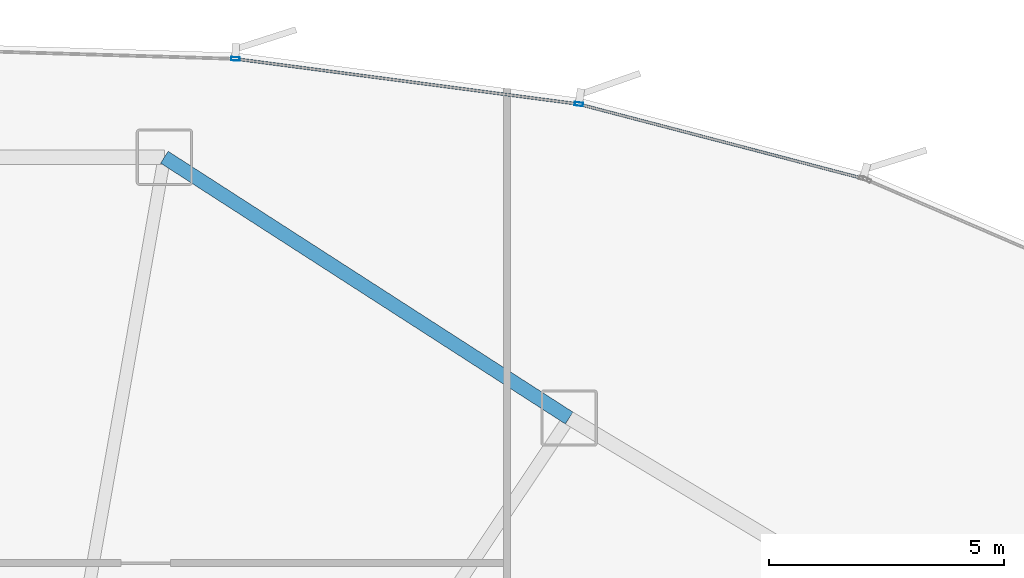
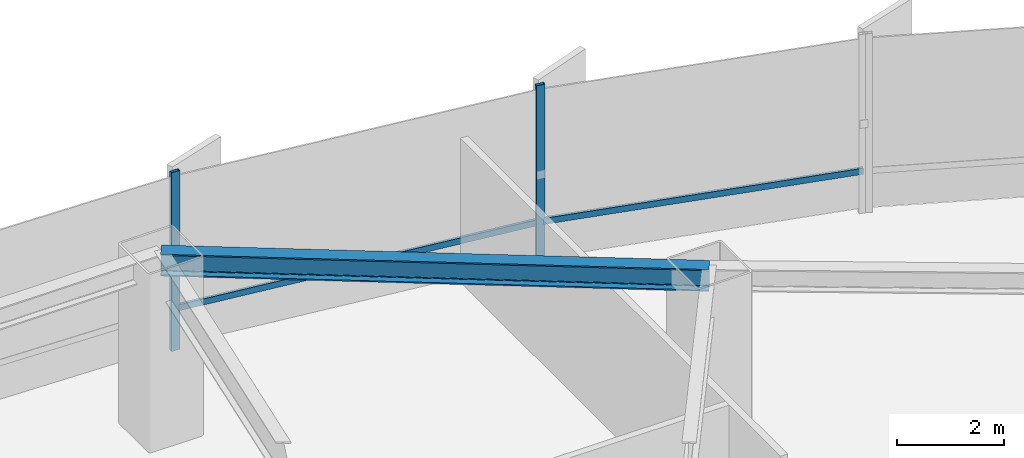
# One storey, part 15 of 34: 4 members, 1 beam, 1 element without a shape of its own.
"""IFC4 building model written with IfcOpenShell, lengths in metres."""

import ifcopenshell
import ifcopenshell.guid

model = None  # the IFC model being written
_history = None  # IfcOwnerHistory: only IFC2X3 demands one
_inside = {}  # id of a spatial element -> (the spatial element, [elements in it])
_under = {}  # id of a project, library or spatial element -> (it, [spatial elements below it])
_declared = {}  # id of a project -> (the project, [libraries it declares])
_typed = {}  # id of a type object -> (the type object, [elements of that type])
_made_of = {}  # id of a material, layer set ... -> (it, [elements and type objects made of it])


def new_model(schema):
    """Start an empty IFC model of exactly this schema.

    Asked for "IFC4X3", IfcOpenShell would pick the latest addendum, in which some entities
    have other attributes; the version numbers below select the first issue.
    IFC2X3 requires an IfcOwnerHistory on every rooted entity: one is made here for all.
    """
    global model, _history
    if schema == "IFC4X3":
        model = ifcopenshell.file(schema_version=(4, 3, 0, 0))
    else:
        model = ifcopenshell.file(schema=schema)
    _inside.clear()
    _under.clear()
    _declared.clear()
    _typed.clear()
    _made_of.clear()
    _history = None
    if model.schema == "IFC2X3":
        org = make("IfcOrganization", Name="unknown")
        user = make(
            "IfcPersonAndOrganization",
            ThePerson=make("IfcPerson", FamilyName="unknown"),
            TheOrganization=org,
        )
        app = make(
            "IfcApplication",
            ApplicationDeveloper=org,
            Version="unknown",
            ApplicationFullName="unknown",
            ApplicationIdentifier="unknown",
        )
        _history = make(
            "IfcOwnerHistory",
            OwningUser=user,
            OwningApplication=app,
            ChangeAction="ADDED",
            CreationDate=0,
        )
    return model


def make(cls, **values):
    """One entity of the class cls with the attributes given. An attribute that is None is left unset."""
    return model.create_entity(
        cls, **{name: value for name, value in values.items() if value is not None}
    )


def rooted(cls, **values):
    """An entity with a GlobalId (a new one), such as an element, a storey or a relation."""
    return make(cls, GlobalId=ifcopenshell.guid.new(), OwnerHistory=_history, **values)


def si_unit(unit_type, name, prefix=None):
    """IfcSIUnit, for example si_unit("LENGTHUNIT", "METRE", prefix="MILLI")."""
    return make("IfcSIUnit", UnitType=unit_type, Prefix=prefix, Name=name)


def assignment(units):
    """IfcUnitAssignment: the units of a project."""
    return None if units is None else make("IfcUnitAssignment", Units=units)


def point(xyz):
    """IfcCartesianPoint."""
    return None if xyz is None else make("IfcCartesianPoint", Coordinates=xyz)


def direction(xyz):
    """IfcDirection."""
    return None if xyz is None else make("IfcDirection", DirectionRatios=xyz)


def frame(location, z_axis=None, x_axis=None):
    """IfcAxis2Placement3D, a coordinate frame: its origin and axes. An axis left out is left unset."""
    return make(
        "IfcAxis2Placement3D",
        Location=point(location),
        Axis=direction(z_axis),
        RefDirection=direction(x_axis),
    )


def frame_2d(location, x_axis=None):
    """IfcAxis2Placement2D, a coordinate frame in the plane: its origin and x axis."""
    return make(
        "IfcAxis2Placement2D", Location=point(location), RefDirection=direction(x_axis)
    )


def origin():
    """The frame at (0, 0, 0) with its axes left unset."""
    return frame((0.0, 0.0, 0.0))


def origin_2d():
    """The frame at (0, 0) in the plane with its x axis left unset."""
    return frame_2d((0.0, 0.0))


def place(relative_to, where):
    """IfcLocalPlacement: puts the frame where relative to a parent placement (None: the world)."""
    return make(
        "IfcLocalPlacement", PlacementRelTo=relative_to, RelativePlacement=where
    )


def context(
    kind, dimensions, precision=None, world=None, true_north=None, identifier=None
):
    """IfcGeometricRepresentationContext, for example the 3D "Model" context."""
    return make(
        "IfcGeometricRepresentationContext",
        ContextIdentifier=identifier,
        ContextType=kind,
        CoordinateSpaceDimension=dimensions,
        Precision=precision,
        WorldCoordinateSystem=world,
        TrueNorth=true_north,
    )


def subcontext(parent, identifier, kind, view, scale=None):
    """IfcGeometricRepresentationSubContext, for example "Body" below "Model"."""
    return make(
        "IfcGeometricRepresentationSubContext",
        ContextIdentifier=identifier,
        ContextType=kind,
        ParentContext=parent,
        TargetScale=scale,
        TargetView=view,
    )


def project(units=None, contexts=None):
    """IfcProject with its units and contexts."""
    return rooted(
        "IfcProject",
        Name="project",
        RepresentationContexts=contexts,
        UnitsInContext=assignment(units),
    )


def spatial(cls, under=None, at=None, **own):
    """A site, building, storey or space (cls), placed at a placement, below another one or the project."""
    s = rooted(cls, ObjectPlacement=at, **own)
    if under is not None:
        _under.setdefault(under.id(), (under, []))[1].append(s)
    return s


def profile(cls, at=None, kind="AREA", **sizes):
    """A parametric profile (cls). Its sizes go by their IFC names, for example OverallWidth=200.0."""
    return make(cls, ProfileType=kind, Position=at, **sizes)


def hollow_rectangle(**sizes):
    """IfcRectangleHollowProfileDef."""
    return profile("IfcRectangleHollowProfileDef", **sizes)


def i_section(**sizes):
    """IfcIShapeProfileDef."""
    return profile("IfcIShapeProfileDef", **sizes)


def extrude(swept, where, along, depth):
    """IfcExtrudedAreaSolid: the profile swept, set in the frame where, extruded along a direction by depth."""
    return make(
        "IfcExtrudedAreaSolid",
        SweptArea=swept,
        Position=where,
        ExtrudedDirection=direction(along),
        Depth=depth,
    )


def shape(context_of_items, identifier, shape_type, items):
    """IfcShapeRepresentation: the items that make up one representation, for example the "Body"."""
    return make(
        "IfcShapeRepresentation",
        ContextOfItems=context_of_items,
        RepresentationIdentifier=identifier,
        RepresentationType=shape_type,
        Items=items,
    )


def source(mapping_origin, context_of_items, identifier, shape_type, items):
    """IfcRepresentationMap: a shape defined once, which mapped items show again and again."""
    return make(
        "IfcRepresentationMap",
        MappingOrigin=mapping_origin,
        MappedRepresentation=shape(context_of_items, identifier, shape_type, items),
    )


def transform(
    local_origin,
    x_axis=None,
    y_axis=None,
    z_axis=None,
    scale=None,
    scale2=None,
    scale3=None,
    uniform=True,
):
    """IfcCartesianTransformationOperator3D, or its non-uniform kind. x_axis, y_axis, z_axis: its Axis1, 2, 3."""
    if uniform:
        return make(
            "IfcCartesianTransformationOperator3D",
            Axis1=direction(x_axis),
            Axis2=direction(y_axis),
            LocalOrigin=point(local_origin),
            Scale=scale,
            Axis3=direction(z_axis),
        )
    return make(
        "IfcCartesianTransformationOperator3DnonUniform",
        Axis1=direction(x_axis),
        Axis2=direction(y_axis),
        LocalOrigin=point(local_origin),
        Scale=scale,
        Axis3=direction(z_axis),
        Scale2=scale2,
        Scale3=scale3,
    )


def mapped(mapping_source, mapping_target):
    """IfcMappedItem: shows the shape of a source again, moved by a transform."""
    return make(
        "IfcMappedItem", MappingSource=mapping_source, MappingTarget=mapping_target
    )


def material(Name=None, Category=None):
    """IfcMaterial."""
    return make("IfcMaterial", Name=Name, Category=Category)


def layer(
    of_material, thickness, ventilated=None, Name=None, Category=None, Priority=None
):
    """IfcMaterialLayer: one layer of a wall or slab, of a material (None: an air gap)."""
    return make(
        "IfcMaterialLayer",
        Material=of_material,
        LayerThickness=thickness,
        IsVentilated=ventilated,
        Name=Name,
        Category=Category,
        Priority=Priority,
    )


def layer_set(layers, Name=None):
    """IfcMaterialLayerSet."""
    return make("IfcMaterialLayerSet", MaterialLayers=layers, LayerSetName=Name)


def material_profile(
    of_material, cross_section, Name=None, Category=None, Priority=None
):
    """IfcMaterialProfile: a cross section and its material."""
    return make(
        "IfcMaterialProfile",
        Name=Name,
        Material=of_material,
        Profile=cross_section,
        Priority=Priority,
        Category=Category,
    )


def profile_set(profiles, Name=None, composite=None):
    """IfcMaterialProfileSet."""
    return make(
        "IfcMaterialProfileSet",
        Name=Name,
        MaterialProfiles=profiles,
        CompositeProfile=composite,
    )


def made_of(thing, what):
    """Note that an element or type object is made of a material, layer set ...; save() writes the relation."""
    if what is not None:
        _made_of.setdefault(what.id(), (what, []))[1].append(thing)
    return thing


def type_object(cls, material=None, **own):
    """A type object (cls), such as IfcWallType, which elements share."""
    return made_of(rooted(cls, **own), material)


def element(
    cls,
    number,
    at=None,
    inside=None,
    cuts=None,
    type_object=None,
    material=None,
    context=None,
    identifier="Body",
    shape_type=None,
    held_by="IfcProductDefinitionShape",
    body=None,
    shapes=None,
    **own,
):
    """One element of the class cls, such as IfcWall. Its Tag is "e" and its number.

    at: its placement. inside: the storey or other place that contains it. cuts: it is an
    opening in that element (IfcRelVoidsElement). A single representation is given by context,
    identifier, shape_type and body (its items); several are given by shapes. held_by: the class
    of the entity that holds the representations. save() writes the other relations.
    """
    e = rooted(cls, Tag="e%d" % number, ObjectPlacement=at, **own)
    if body is not None:
        shapes = [shape(context, identifier, shape_type, body)]
    if shapes is not None:
        e.Representation = make(held_by, Representations=shapes)
    if inside is not None:
        _inside.setdefault(inside.id(), (inside, []))[1].append(e)
    if cuts is not None:
        rooted(
            "IfcRelVoidsElement", RelatingBuildingElement=cuts, RelatedOpeningElement=e
        )
    if type_object is not None:
        _typed.setdefault(type_object.id(), (type_object, []))[1].append(e)
    return made_of(e, material)


def aggregate(whole, parts):
    """IfcRelAggregates: a whole, such as a stair, and the parts it consists of."""
    return rooted("IfcRelAggregates", RelatingObject=whole, RelatedObjects=parts)


def save(model, path):
    """Write the relations noted so far, then the file.

    IfcRelAggregates (storeys below a building ...), IfcRelContainedInSpatialStructure (elements
    in a storey), IfcRelDefinesByType, IfcRelAssociatesMaterial and IfcRelDeclares: one each for
    every whole, place, type object, material and project.
    """
    for whole, parts in _under.values():
        aggregate(whole, parts)
    for where, things in _inside.values():
        rooted(
            "IfcRelContainedInSpatialStructure",
            RelatedElements=things,
            RelatingStructure=where,
        )
    for kind, things in _typed.values():
        rooted("IfcRelDefinesByType", RelatedObjects=things, RelatingType=kind)
    for what, things in _made_of.values():
        rooted("IfcRelAssociatesMaterial", RelatedObjects=things, RelatingMaterial=what)
    for by, libraries in _declared.values():
        rooted("IfcRelDeclares", RelatingContext=by, RelatedDefinitions=libraries)
    model.write(path)


model = new_model("IFC4")

# Units and contexts
model_context = context("Model", 3, precision=1e-05, world=origin(), true_north=direction((0.0, 1.0)))
body_context = subcontext(model_context, "Body", "Model", "MODEL_VIEW")
ifc_project = project(units=[si_unit("LENGTHUNIT", "METRE"), si_unit("AREAUNIT", "SQUARE_METRE"), si_unit("VOLUMEUNIT", "CUBIC_METRE"), si_unit("PLANEANGLEUNIT", "RADIAN"), si_unit("MASSUNIT", "GRAM", prefix="KILO"), si_unit("THERMODYNAMICTEMPERATUREUNIT", "KELVIN")], contexts=[model_context])

# Site, building, storey
site_placement = place(None, origin())
site = spatial("IfcSite", under=ifc_project, at=site_placement, CompositionType="ELEMENT")
building_placement = place(site_placement, origin())
building = spatial("IfcBuilding", under=site, at=building_placement, Name="Kethvar Cultural Tower", CompositionType="ELEMENT")
storey_placement = place(building_placement, frame((0.0, 0.0, 19.60009765625)))
storey = spatial("IfcBuildingStorey", under=building, at=storey_placement, Name="L04", CompositionType="ELEMENT", Elevation=19.60009765625)

# Beam
ifc_material_1 = material(Name="Steel S355J2", Category="steel")
ifc_material_profile_1 = material_profile(ifc_material_1, i_section(OverallWidth=0.300048828125, OverallDepth=0.5, WebThickness=0.014404296875, FlangeThickness=0.028076171875, FilletRadius=0.027099609375, at=origin_2d()), Name="Steel S355J2 — HEB500")
ifc_profile_set_1 = profile_set([ifc_material_profile_1], Name="Steel S355J2 — HEB500")
beam_type = type_object("IfcBeamType", Name="BM-SP500", PredefinedType="SPANDREL", material=ifc_profile_set_1)
shared_shape_1 = source(origin(), body_context, "Body", "SweptSolid", [
    extrude(i_section(OverallWidth=0.300048828125, OverallDepth=0.5, WebThickness=0.014404296875, FlangeThickness=0.028076171875, FilletRadius=0.027099609375, at=origin_2d()), origin(), (0.0, 0.0, 1.0), 10.260009765625),
])
beam_placement = place(storey_placement, frame((59.824951171875, 47.293212890625, 3.827880859375), z_axis=(-0.840635315951, 0.541601574569, 0.0), x_axis=(-0.541601574569, -0.840635315951, 0.0)))
element("IfcBeam", 1, at=beam_placement, inside=storey, type_object=beam_type, Name="L04 Podium Ring Beam 03", PredefinedType="SPANDREL", context=body_context, shape_type="MappedRepresentation", body=[
    mapped(shared_shape_1, transform((0.0, 0.0, 0.0), scale=1.0)),
])

# Curtain wall, members
ifc_material_2 = material(Name="Aluminium 6063-T6", Category="aluminium")
ifc_layer = layer(ifc_material_2, 0.179931640625, Name="Aluminium 6063-T6", Category="aluminium")
ifc_layer_set = layer_set([ifc_layer], Name="Aluminium 6063-T6 (180 mm)")
curtain_wall_type = type_object("IfcCurtainWallType", Name="CW-SYS-01-POD", PredefinedType="NOTDEFINED", material=ifc_layer_set)
curtain_wall_placement = place(storey_placement, origin())
curtain_wall = element("IfcCurtainWall", 2, at=curtain_wall_placement, inside=storey, type_object=curtain_wall_type, Name="L04 Curtain Wall Run 02", PredefinedType="NOTDEFINED")
ifc_material_profile_2 = material_profile(ifc_material_2, hollow_rectangle(XDim=0.06005859375, YDim=0.139892578125, WallThickness=0.0048828125, at=origin_2d()), Name="Aluminium 6063-T6 — RHS140x60x5")
ifc_profile_set_2 = profile_set([ifc_material_profile_2], Name="Aluminium 6063-T6 — RHS140x60x5")
member_type_1 = type_object("IfcMemberType", Name="CW-SYS-01-POD-TRN", PredefinedType="USERDEFINED", material=ifc_profile_set_2)
shared_shape_2 = source(origin(), body_context, "Body", "SweptSolid", [
    extrude(hollow_rectangle(XDim=0.06005859375, YDim=0.139892578125, WallThickness=0.0048828125, at=origin_2d()), origin(), (0.0, 0.0, 1.0), 7.28955078125),
])
member_1_placement = place(storey_placement, frame((59.9794921875, 53.98876953125, 0.949951171875), z_axis=(-0.9914326226, 0.13061912128, 0.0), x_axis=(-0.13061912128, -0.9914326226, 0.0)))
member_1 = element("IfcMember", 3, at=member_1_placement, type_object=member_type_1, Name="CW-L04-R02 Transom 2", ObjectType="TRANSOM", PredefinedType="USERDEFINED", context=body_context, shape_type="MappedRepresentation", body=[
    mapped(shared_shape_2, transform((0.0, 0.0, 0.0), scale=1.0)),
])
shared_shape_3 = source(origin(), body_context, "Body", "SweptSolid", [
    extrude(hollow_rectangle(XDim=0.06005859375, YDim=0.139892578125, WallThickness=0.0048828125, at=origin_2d()), origin(), (0.0, 0.0, 1.0), 6.221435546875),
])
member_2_placement = place(storey_placement, frame((66.088134765625, 52.39697265625, 0.949951171875), z_axis=(-0.967458727109, 0.253028874519, 0.0), x_axis=(-0.253028874519, -0.967458727109, 0.0)))
member_2 = element("IfcMember", 4, at=member_2_placement, type_object=member_type_1, Name="CW-L04-R02 Transom 1", ObjectType="TRANSOM", PredefinedType="USERDEFINED", context=body_context, shape_type="MappedRepresentation", body=[
    mapped(shared_shape_3, transform((0.0, 0.0, 0.0), scale=1.0)),
])
ifc_material_profile_3 = material_profile(ifc_material_2, hollow_rectangle(XDim=0.074951171875, YDim=0.179931640625, WallThickness=0.006103515625, at=origin_2d()), Name="Aluminium 6063-T6 — RHS180x75x6")
ifc_profile_set_3 = profile_set([ifc_material_profile_3], Name="Aluminium 6063-T6 — RHS180x75x6")
member_type_2 = type_object("IfcMemberType", Name="CW-SYS-01-POD-MUL", PredefinedType="MULLION", material=ifc_profile_set_3)
shared_shape_4 = source(origin(), body_context, "Body", "SweptSolid", [
    extrude(hollow_rectangle(XDim=0.074951171875, YDim=0.179931640625, WallThickness=0.006103515625, at=origin_2d()), origin(), (0.0, 0.0, 1.0), 4.079833984375),
])
member_3_placement = place(storey_placement, frame((60.032958984375, 53.981689453125, 0.0), z_axis=(0.0, 0.0, 1.0), x_axis=(-0.130647319086, -0.991428907192, 0.0)))
member_3 = element("IfcMember", 5, at=member_3_placement, type_object=member_type_2, Name="CW-L04-R02 Mullion 2", PredefinedType="MULLION", context=body_context, shape_type="MappedRepresentation", body=[
    mapped(shared_shape_4, transform((0.0, 0.0, 0.0), scale=1.0)),
])
member_4_placement = place(storey_placement, frame((52.7119140625, 54.947021484375, 0.0), z_axis=(0.0, 0.0, 1.0), x_axis=(-0.030137272261, -0.999545769248, 0.0)))
member_4 = element("IfcMember", 6, at=member_4_placement, type_object=member_type_2, Name="CW-L04-R02 Mullion 3", PredefinedType="MULLION", context=body_context, shape_type="MappedRepresentation", body=[
    mapped(shared_shape_4, transform((0.0, 0.0, 0.0), scale=1.0)),
])
aggregate(curtain_wall, [member_3, member_4, member_2, member_1])

save(model, "model.ifc")
